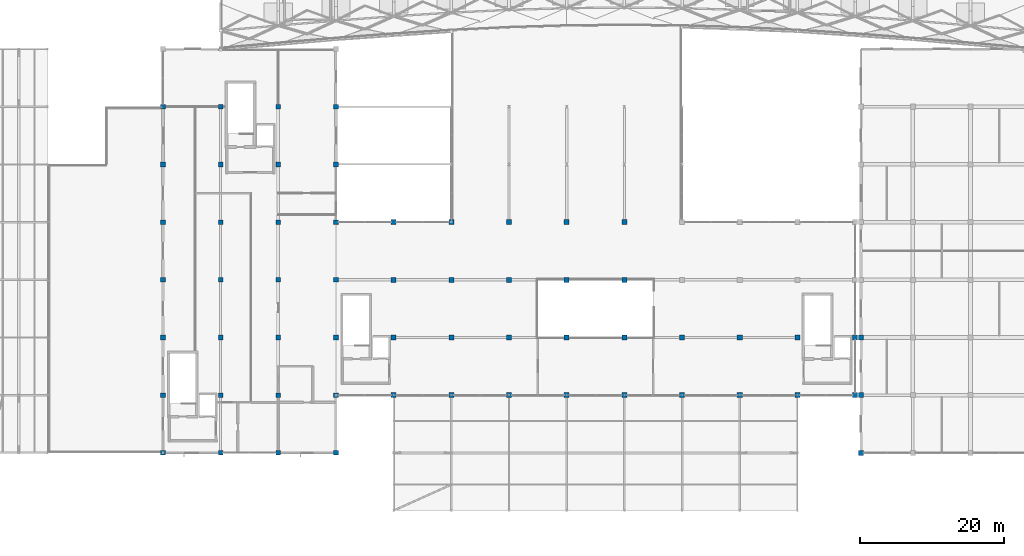
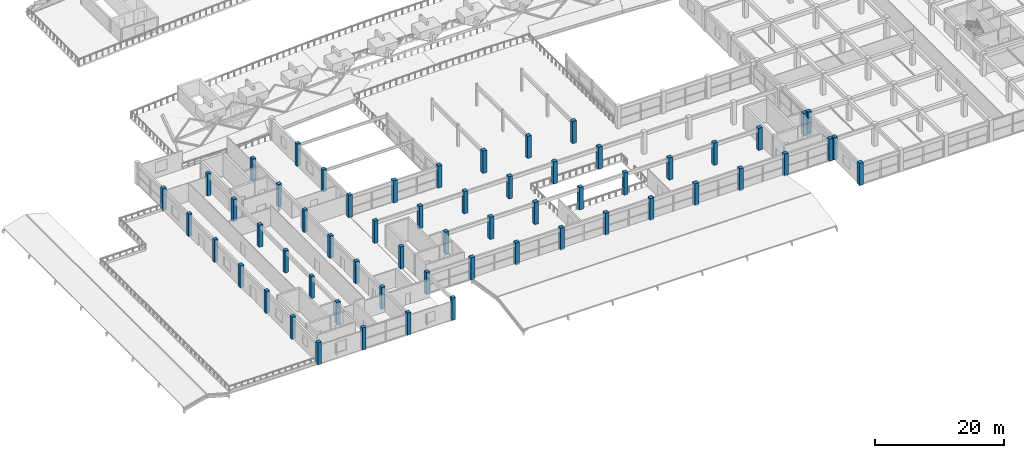
# One storey, part 1 of 67: 59 columns.
"""IFC4 building model written with IfcOpenShell, lengths in metres."""

from ifc_helpers import new_model, si_unit, direction, frame, origin, origin_2d, place, context, subcontext, project, spatial, rectangle, extrude, material, material_profile, profile_set, type_object, element, save


model = new_model("IFC4")

# Units and contexts
model_context = context("Model", 3, precision=1e-05, world=origin(), true_north=direction((0.0, 1.0)))
body_context = subcontext(model_context, "Body", "Model", "MODEL_VIEW")
ifc_project = project(units=[si_unit("LENGTHUNIT", "METRE"), si_unit("AREAUNIT", "SQUARE_METRE"), si_unit("VOLUMEUNIT", "CUBIC_METRE"), si_unit("PLANEANGLEUNIT", "RADIAN"), si_unit("MASSUNIT", "GRAM", prefix="KILO")], contexts=[model_context])

# Site, building, storey
site_placement = place(None, origin())
site = spatial("IfcSite", under=ifc_project, at=site_placement, CompositionType="ELEMENT")
building_placement = place(site_placement, origin())
building = spatial("IfcBuilding", under=site, at=building_placement, Name="Kenh Van Central Station", CompositionType="ELEMENT")
storey_placement = place(building_placement, frame((0.0, 0.0, 10.800048828125)))
storey = spatial("IfcBuildingStorey", under=building, at=storey_placement, Name="L02", CompositionType="ELEMENT", Elevation=10.800048828125)

# Columns
ifc_material_1 = material(Name="Concrete C35/45", Category="concrete")
ifc_material_profile_1 = material_profile(ifc_material_1, rectangle(XDim=0.64990234375, YDim=0.64990234375, at=origin_2d()), Name="RC 650x650")
ifc_profile_set_1 = profile_set([ifc_material_profile_1], Name="Concrete C35/45")
column_type_1 = type_object("IfcColumnType", Name="COL-RC-650x650", PredefinedType="COLUMN", material=ifc_profile_set_1)
for number, where, z_axis, x_axis, name in (
    (1, (24.0, 8.0, 0.0), (0.0, 0.0, 1.0), (1.0, 0.0, 0.0), "L02 column CW-024-008"),
    (2, (24.0, 16.0, 0.0), (0.0, 0.0, 1.0), (1.0, 0.0, 0.0), "L02 column CW-024-016"),
    (3, (24.0, 24.0, 0.0), (0.0, 0.0, 1.0), (1.0, 0.0, 0.0), "L02 column CW-024-024"),
    (4, (24.0, 32.0, 0.0), (0.0, 0.0, 1.0), (1.0, 0.0, 0.0), "L02 column CW-024-032"),
    (5, (24.0, 40.0, 0.0), (0.0, 0.0, 1.0), (1.0, 0.0, 0.0), "L02 column CW-024-040"),
    (6, (24.0, 48.0, 0.0), (0.0, 0.0, 1.0), (1.0, 0.0, 0.0), "L02 column CW-024-048"),
    (7, (24.0, 56.0, 0.0), (0.0, 0.0, 1.0), (1.0, 0.0, 0.0), "L02 column CW-024-056"),
    (8, (32.0, 8.0, 0.0), (0.0, 0.0, 1.0), (1.0, 0.0, 0.0), "L02 column CW-032-008"),
    (9, (32.0, 16.0, 0.0), (0.0, 0.0, 1.0), (1.0, 0.0, 0.0), "L02 column CW-032-016"),
    (10, (32.0, 24.0, 0.0), (0.0, 0.0, 1.0), (1.0, 0.0, 0.0), "L02 column CW-032-024"),
    (11, (32.0, 32.0, 0.0), (0.0, 0.0, 1.0), (1.0, 0.0, 0.0), "L02 column CW-032-032"),
    (12, (32.0, 40.0, 0.0), (0.0, 0.0, 1.0), (1.0, 0.0, 0.0), "L02 column CW-032-040"),
    (13, (32.0, 48.0, 0.0), (0.0, 0.0, 1.0), (1.0, 0.0, 0.0), "L02 column CW-032-048"),
    (14, (32.0, 56.0, 0.0), (0.0, 0.0, 1.0), (1.0, 0.0, 0.0), "L02 column CW-032-056"),
    (15, (40.0, 8.0, 0.0), (0.0, 0.0, 1.0), (1.0, 0.0, 0.0), "L02 column CW-040-008"),
    (16, (40.0, 16.0, 0.0), (0.0, 0.0, 1.0), (1.0, 0.0, 0.0), "L02 column CW-040-016"),
    (17, (40.0, 24.0, 0.0), (0.0, 0.0, 1.0), (1.0, 0.0, 0.0), "L02 column CW-040-024"),
    (18, (40.0, 32.0, 0.0), (0.0, 0.0, 1.0), (1.0, 0.0, 0.0), "L02 column CW-040-032"),
    (19, (40.0, 40.0, 0.0), (0.0, 0.0, 1.0), (1.0, 0.0, 0.0), "L02 column CW-040-040"),
    (20, (40.0, 48.0, 0.0), (0.0, 0.0, 1.0), (1.0, 0.0, 0.0), "L02 column CW-040-048"),
    (21, (40.0, 56.0, 0.0), (0.0, 0.0, 1.0), (1.0, 0.0, 0.0), "L02 column CW-040-056"),
    (22, (48.0, 8.0, 0.0), (0.0, 0.0, 1.0), (1.0, 0.0, 0.0), "L02 column CW-048-008"),
    (23, (48.0, 16.0, 0.0), (0.0, 0.0, 1.0), (1.0, 0.0, 0.0), "L02 column CW-048-016"),
    (24, (48.0, 24.0, 0.0), (0.0, 0.0, 1.0), (1.0, 0.0, 0.0), "L02 column CW-048-024"),
    (25, (48.0, 32.0, 0.0), (0.0, 0.0, 1.0), (1.0, 0.0, 0.0), "L02 column CW-048-032"),
    (26, (48.0, 40.0, 0.0), (0.0, 0.0, 1.0), (1.0, 0.0, 0.0), "L02 column CW-048-040"),
    (27, (48.0, 48.0, 0.0), (0.0, 0.0, 1.0), (1.0, 0.0, 0.0), "L02 column CW-048-048"),
    (28, (48.0, 56.0, 0.0), (0.0, 0.0, 1.0), (1.0, 0.0, 0.0), "L02 column CW-048-056"),
):
    element("IfcColumn", number, at=place(storey_placement, frame(where, z_axis=z_axis, x_axis=x_axis)), inside=storey, type_object=column_type_1, Name=name, PredefinedType="COLUMN", context=body_context, shape_type="SweptSolid", body=[
        extrude(rectangle(XDim=0.64990234375, YDim=0.64990234375, at=origin_2d()), origin(), (0.0, 0.0, 1.0), 4.199951171875),
    ])
ifc_material_2 = material(Name="Concrete C40/50", Category="concrete")
ifc_material_profile_2 = material_profile(ifc_material_2, rectangle(XDim=0.699951171875, YDim=0.699951171875, at=origin_2d()), Name="RC 700x700")
ifc_profile_set_2 = profile_set([ifc_material_profile_2], Name="Concrete C40/50")
column_type_2 = type_object("IfcColumnType", Name="COL-RC-700x700", PredefinedType="COLUMN", material=ifc_profile_set_2)
for number, where, z_axis, x_axis, name in (
    (29, (56.0, 16.0, 0.0), (0.0, 0.0, 1.0), (1.0, 0.0, 0.0), "L02 column CC-056-016"),
    (30, (56.0, 24.0, 0.0), (0.0, 0.0, 1.0), (1.0, 0.0, 0.0), "L02 column CC-056-024"),
    (31, (56.0, 32.0, 0.0), (0.0, 0.0, 1.0), (1.0, 0.0, 0.0), "L02 column CC-056-032"),
    (32, (56.0, 40.0, 0.0), (0.0, 0.0, 1.0), (1.0, 0.0, 0.0), "L02 column CC-056-040"),
    (33, (64.0, 16.0, 0.0), (0.0, 0.0, 1.0), (1.0, 0.0, 0.0), "L02 column CC-064-016"),
    (34, (64.0, 24.0, 0.0), (0.0, 0.0, 1.0), (1.0, 0.0, 0.0), "L02 column CC-064-024"),
    (35, (64.0, 32.0, 0.0), (0.0, 0.0, 1.0), (1.0, 0.0, 0.0), "L02 column CC-064-032"),
    (36, (64.0, 40.0, 0.0), (0.0, 0.0, 1.0), (1.0, 0.0, 0.0), "L02 column CC-064-040"),
    (37, (72.0, 16.0, 0.0), (0.0, 0.0, 1.0), (1.0, 0.0, 0.0), "L02 column CC-072-016"),
    (38, (72.0, 24.0, 0.0), (0.0, 0.0, 1.0), (1.0, 0.0, 0.0), "L02 column CC-072-024"),
    (39, (72.0, 32.0, 0.0), (0.0, 0.0, 1.0), (1.0, 0.0, 0.0), "L02 column CC-072-032"),
    (40, (72.0, 40.0, 0.0), (0.0, 0.0, 1.0), (1.0, 0.0, 0.0), "L02 column CC-072-040"),
    (41, (80.0, 16.0, 0.0), (0.0, 0.0, 1.0), (1.0, 0.0, 0.0), "L02 column CC-080-016"),
    (42, (80.0, 24.0, 0.0), (0.0, 0.0, 1.0), (1.0, 0.0, 0.0), "L02 column CC-080-024"),
    (43, (80.0, 32.0, 0.0), (0.0, 0.0, 1.0), (1.0, 0.0, 0.0), "L02 column CC-080-032"),
    (44, (80.0, 40.0, 0.0), (0.0, 0.0, 1.0), (1.0, 0.0, 0.0), "L02 column CC-080-040"),
    (45, (88.0, 16.0, 0.0), (0.0, 0.0, 1.0), (1.0, 0.0, 0.0), "L02 column CC-088-016"),
    (46, (88.0, 24.0, 0.0), (0.0, 0.0, 1.0), (1.0, 0.0, 0.0), "L02 column CC-088-024"),
    (47, (88.0, 32.0, 0.0), (0.0, 0.0, 1.0), (1.0, 0.0, 0.0), "L02 column CC-088-032"),
    (48, (88.0, 40.0, 0.0), (0.0, 0.0, 1.0), (1.0, 0.0, 0.0), "L02 column CC-088-040"),
    (49, (96.0, 16.0, 0.0), (0.0, 0.0, 1.0), (1.0, 0.0, 0.0), "L02 column CC-096-016"),
    (50, (96.0, 24.0, 0.0), (0.0, 0.0, 1.0), (1.0, 0.0, 0.0), "L02 column CC-096-024"),
    (51, (104.0, 16.0, 0.0), (0.0, 0.0, 1.0), (1.0, 0.0, 0.0), "L02 column CC-104-016"),
    (52, (104.0, 24.0, 0.0), (0.0, 0.0, 1.0), (1.0, 0.0, 0.0), "L02 column CC-104-024"),
    (53, (112.0, 16.0, 0.0), (0.0, 0.0, 1.0), (1.0, 0.0, 0.0), "L02 column CC-112-016"),
    (54, (112.0, 24.0, 0.0), (0.0, 0.0, 1.0), (1.0, 0.0, 0.0), "L02 column CC-112-024"),
    (55, (120.0, 16.0, 0.0), (0.0, 0.0, 1.0), (1.0, 0.0, 0.0), "L02 column CC-120-016"),
    (56, (120.0, 24.0, 0.0), (0.0, 0.0, 1.0), (1.0, 0.0, 0.0), "L02 column CC-120-024"),
    (57, (120.800048828125, 8.0, 0.0), (0.0, 0.0, 1.0), (1.0, 0.0, 0.0), "L02 column CE-1208-008"),
    (58, (120.800048828125, 16.0, 0.0), (0.0, 0.0, 1.0), (1.0, 0.0, 0.0), "L02 column CE-1208-016"),
    (59, (120.800048828125, 24.0, 0.0), (0.0, 0.0, 1.0), (1.0, 0.0, 0.0), "L02 column CE-1208-024"),
):
    element("IfcColumn", number, at=place(storey_placement, frame(where, z_axis=z_axis, x_axis=x_axis)), inside=storey, type_object=column_type_2, Name=name, PredefinedType="COLUMN", context=body_context, shape_type="SweptSolid", body=[
        extrude(rectangle(XDim=0.699951171875, YDim=0.699951171875, at=origin_2d()), origin(), (0.0, 0.0, 1.0), 4.199951171875),
    ])

save(model, "model.ifc")
